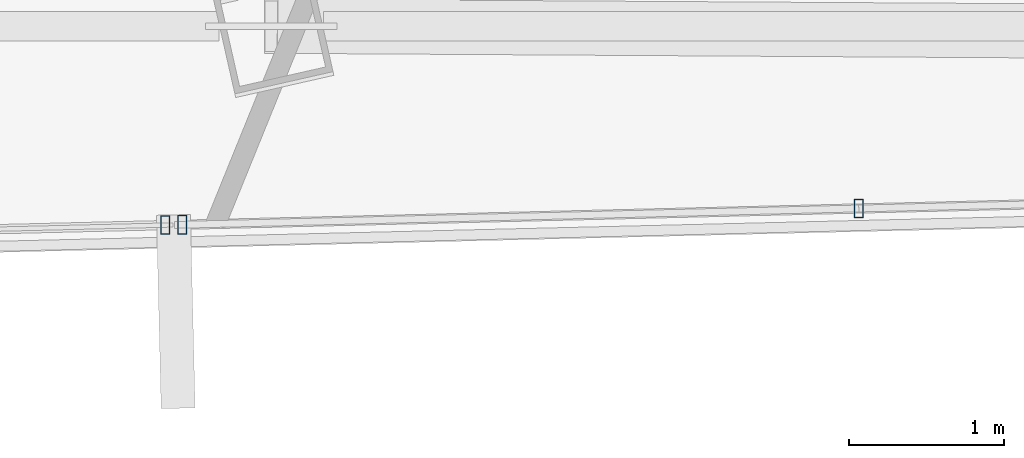
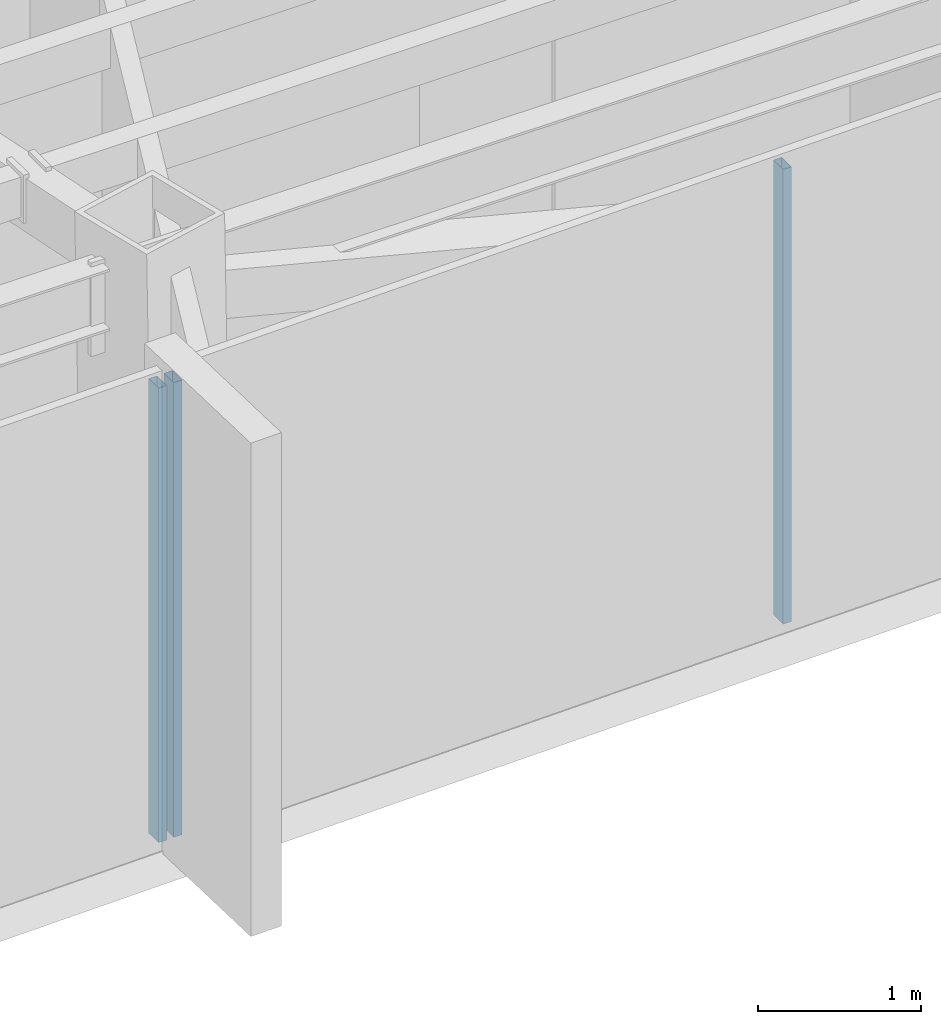
# One storey, part 11 of 48: 3 members, 2 elements without a shape of their own.
"""IFC4 building model written with IfcOpenShell, lengths in metres."""

from ifc_helpers import new_model, si_unit, direction, frame, origin, origin_2d, place, context, subcontext, project, spatial, hollow_rectangle, extrude, source, transform, mapped, material, material_profile, profile_set, type_object, type_shapes, element, aggregate, save


model = new_model("IFC4")

# Units and contexts
model_context = context("Model", 3, precision=1e-05, world=origin(), true_north=direction((0.0, 1.0)))
body_context = subcontext(model_context, "Body", "Model", "MODEL_VIEW")
ifc_project = project(units=[si_unit("LENGTHUNIT", "METRE"), si_unit("AREAUNIT", "SQUARE_METRE"), si_unit("VOLUMEUNIT", "CUBIC_METRE"), si_unit("PLANEANGLEUNIT", "RADIAN"), si_unit("MASSUNIT", "GRAM", prefix="KILO")], contexts=[model_context])

# Site, building, storey
site_placement = place(None, origin())
site = spatial("IfcSite", under=ifc_project, at=site_placement, CompositionType="ELEMENT")
building_placement = place(site_placement, origin())
building = spatial("IfcBuilding", under=site, at=building_placement, Name="Caelisora Broadcast Tower", CompositionType="ELEMENT")
storey_placement = place(building_placement, frame((0.0, 0.0, 270.0)))
storey = spatial("IfcBuildingStorey", under=building, at=storey_placement, Name="L71", CompositionType="ELEMENT", Elevation=270.0)

# Curtain wall, members
ifc_material_1 = material(Name="Unitised Aluminium Insulated Shadow-Box Spandrel Curtain Wall", Category="aluminium")
curtain_wall_type_1 = type_object("IfcCurtainWallType", Name="CW-SP3", PredefinedType="NOTDEFINED", material=ifc_material_1)
curtain_wall_1_placement = place(storey_placement, origin())
curtain_wall_1 = element("IfcCurtainWall", 1, at=curtain_wall_1_placement, inside=storey, type_object=curtain_wall_type_1, Name="L71 curtain wall CW-SP3", PredefinedType="NOTDEFINED")
ifc_material_2 = material(Name="Aluminium 6063-T6 Anodised Terracotta Bronze", Category="aluminium")
ifc_material_profile = material_profile(ifc_material_2, hollow_rectangle(XDim=0.06005859375, YDim=0.1201171875, WallThickness=0.0029296875, at=origin_2d()), Name="Aluminium 6063-T6 Anodised Terracotta Bronze")
ifc_profile_set = profile_set([ifc_material_profile], Name="Aluminium 6063-T6 Anodised Terracotta Bronze")
member_type = type_object("IfcMemberType", Name="CWM-04", PredefinedType="MULLION", material=ifc_profile_set)
shared_shape = source(origin(), body_context, "Body", "SweptSolid", [
    extrude(hollow_rectangle(XDim=0.06005859375, YDim=0.1201171875, WallThickness=0.0029296875, at=origin_2d()), origin(), (0.0, 0.0, 1.0), 3.39990234375),
])
type_shapes(member_type, [shared_shape])
member_1_placement = place(storey_placement, frame((35.814697265625, 8.495849609375, 0.0), z_axis=(0.0, 0.0, 1.0), x_axis=(1.0, 0.0, 0.0)))
member_1 = element("IfcMember", 2, at=member_1_placement, type_object=member_type, Name="L71-CW-B06 mullion #2", PredefinedType="MULLION", context=body_context, shape_type="MappedRepresentation", body=[
    mapped(shared_shape, transform((0.0, 0.0, 0.0), scale=1.0)),
])
member_2_placement = place(storey_placement, frame((31.443115234375, 8.390625, 0.0), z_axis=(0.0, 0.0, 1.0), x_axis=(1.0, 0.0, 0.0)))
member_2 = element("IfcMember", 3, at=member_2_placement, type_object=member_type, Name="L71-CW-B06 mullion #3", PredefinedType="MULLION", context=body_context, shape_type="MappedRepresentation", body=[
    mapped(shared_shape, transform((0.0, 0.0, 0.0), scale=1.0)),
])
aggregate(curtain_wall_1, [member_1, member_2])

# Curtain wall, member
ifc_material_3 = material(Name="Unitised Aluminium and Low-E Glass Curtain Wall", Category="glass")
curtain_wall_type_2 = type_object("IfcCurtainWallType", Name="CW-Z5", PredefinedType="NOTDEFINED", material=ifc_material_3)
curtain_wall_2_placement = place(storey_placement, origin())
curtain_wall_2 = element("IfcCurtainWall", 4, at=curtain_wall_2_placement, inside=storey, type_object=curtain_wall_type_2, Name="L71 curtain wall CW-Z5", PredefinedType="NOTDEFINED")
member_3_placement = place(storey_placement, frame((31.333251953125, 8.38818359375, 0.0), z_axis=(0.0, 0.0, 1.0), x_axis=(1.0, 0.0, 0.0)))
member_3 = element("IfcMember", 5, at=member_3_placement, type_object=member_type, Name="L71-CW-B07 mullion #0", PredefinedType="MULLION", context=body_context, shape_type="MappedRepresentation", body=[
    mapped(shared_shape, transform((0.0, 0.0, 0.0), scale=1.0)),
])
aggregate(curtain_wall_2, [member_3])

save(model, "model.ifc")
